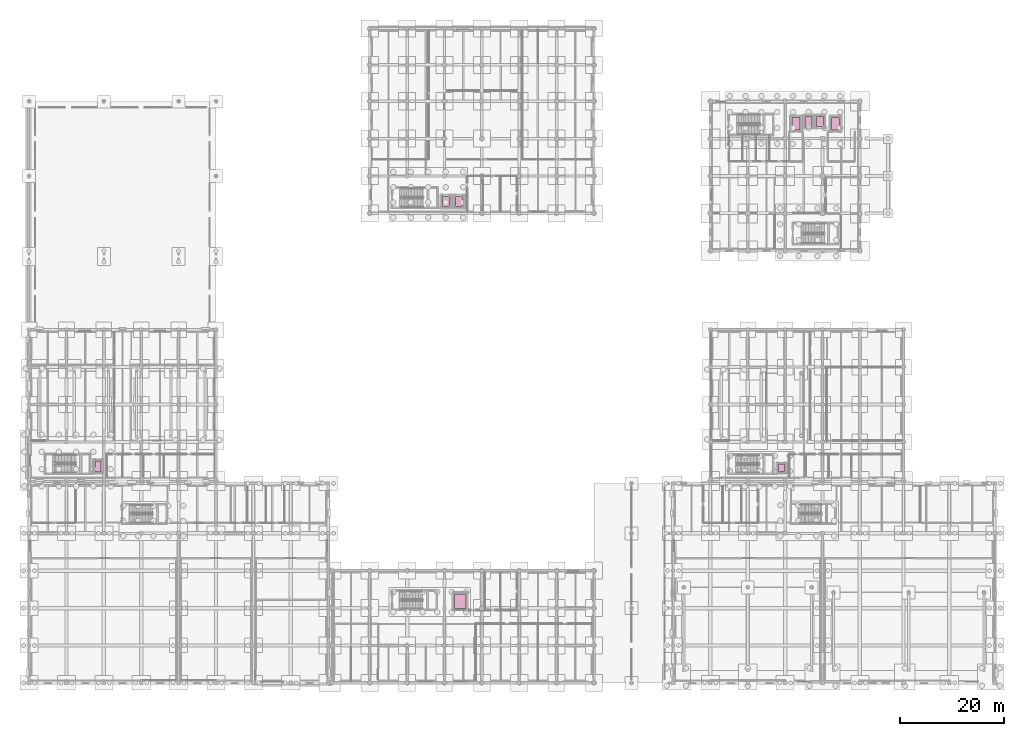
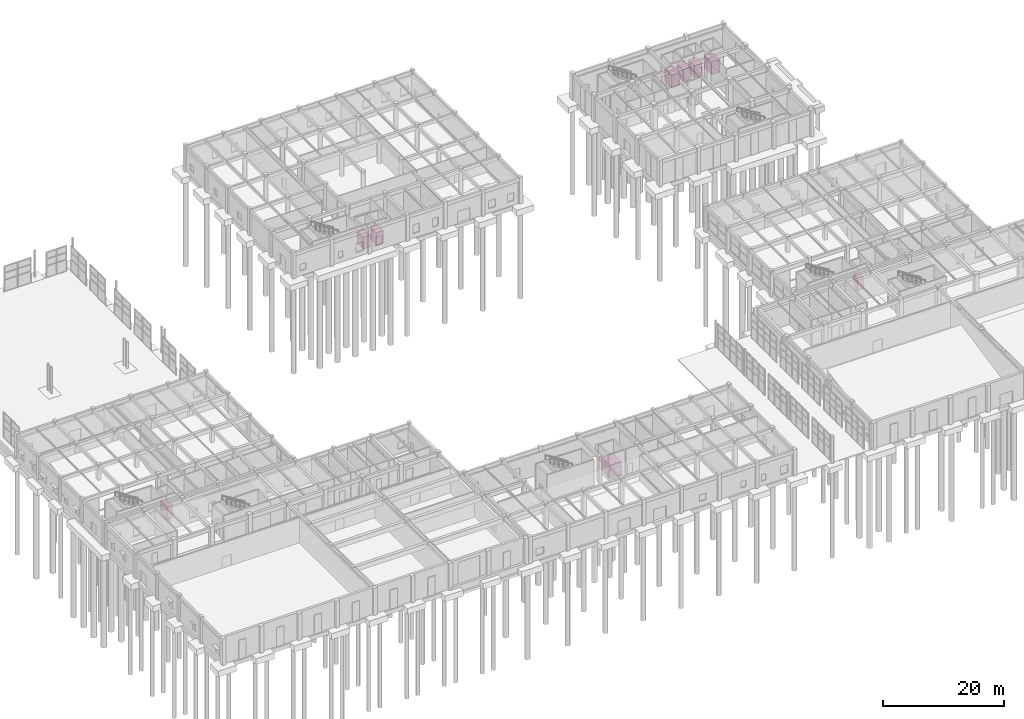
# One storey, part 91 of 91: 9 transport elements.
"""IFC4 building model written with IfcOpenShell, lengths in metres."""

import ifcopenshell
import ifcopenshell.guid

model = None  # the IFC model being written
_history = None  # IfcOwnerHistory: only IFC2X3 demands one
_inside = {}  # id of a spatial element -> (the spatial element, [elements in it])
_under = {}  # id of a project, library or spatial element -> (it, [spatial elements below it])
_declared = {}  # id of a project -> (the project, [libraries it declares])
_typed = {}  # id of a type object -> (the type object, [elements of that type])
_made_of = {}  # id of a material, layer set ... -> (it, [elements and type objects made of it])


def new_model(schema):
    """Start an empty IFC model of exactly this schema.

    Asked for "IFC4X3", IfcOpenShell would pick the latest addendum, in which some entities
    have other attributes; the version numbers below select the first issue.
    IFC2X3 requires an IfcOwnerHistory on every rooted entity: one is made here for all.
    """
    global model, _history
    if schema == "IFC4X3":
        model = ifcopenshell.file(schema_version=(4, 3, 0, 0))
    else:
        model = ifcopenshell.file(schema=schema)
    _inside.clear()
    _under.clear()
    _declared.clear()
    _typed.clear()
    _made_of.clear()
    _history = None
    if model.schema == "IFC2X3":
        org = make("IfcOrganization", Name="unknown")
        user = make(
            "IfcPersonAndOrganization",
            ThePerson=make("IfcPerson", FamilyName="unknown"),
            TheOrganization=org,
        )
        app = make(
            "IfcApplication",
            ApplicationDeveloper=org,
            Version="unknown",
            ApplicationFullName="unknown",
            ApplicationIdentifier="unknown",
        )
        _history = make(
            "IfcOwnerHistory",
            OwningUser=user,
            OwningApplication=app,
            ChangeAction="ADDED",
            CreationDate=0,
        )
    return model


def make(cls, **values):
    """One entity of the class cls with the attributes given. An attribute that is None is left unset."""
    return model.create_entity(
        cls, **{name: value for name, value in values.items() if value is not None}
    )


def rooted(cls, **values):
    """An entity with a GlobalId (a new one), such as an element, a storey or a relation."""
    return make(cls, GlobalId=ifcopenshell.guid.new(), OwnerHistory=_history, **values)


def si_unit(unit_type, name, prefix=None):
    """IfcSIUnit, for example si_unit("LENGTHUNIT", "METRE", prefix="MILLI")."""
    return make("IfcSIUnit", UnitType=unit_type, Prefix=prefix, Name=name)


def assignment(units):
    """IfcUnitAssignment: the units of a project."""
    return None if units is None else make("IfcUnitAssignment", Units=units)


def point(xyz):
    """IfcCartesianPoint."""
    return None if xyz is None else make("IfcCartesianPoint", Coordinates=xyz)


def direction(xyz):
    """IfcDirection."""
    return None if xyz is None else make("IfcDirection", DirectionRatios=xyz)


def frame(location, z_axis=None, x_axis=None):
    """IfcAxis2Placement3D, a coordinate frame: its origin and axes. An axis left out is left unset."""
    return make(
        "IfcAxis2Placement3D",
        Location=point(location),
        Axis=direction(z_axis),
        RefDirection=direction(x_axis),
    )


def frame_2d(location, x_axis=None):
    """IfcAxis2Placement2D, a coordinate frame in the plane: its origin and x axis."""
    return make(
        "IfcAxis2Placement2D", Location=point(location), RefDirection=direction(x_axis)
    )


def origin():
    """The frame at (0, 0, 0) with its axes left unset."""
    return frame((0.0, 0.0, 0.0))


def origin_2d():
    """The frame at (0, 0) in the plane with its x axis left unset."""
    return frame_2d((0.0, 0.0))


def place(relative_to, where):
    """IfcLocalPlacement: puts the frame where relative to a parent placement (None: the world)."""
    return make(
        "IfcLocalPlacement", PlacementRelTo=relative_to, RelativePlacement=where
    )


def context(
    kind, dimensions, precision=None, world=None, true_north=None, identifier=None
):
    """IfcGeometricRepresentationContext, for example the 3D "Model" context."""
    return make(
        "IfcGeometricRepresentationContext",
        ContextIdentifier=identifier,
        ContextType=kind,
        CoordinateSpaceDimension=dimensions,
        Precision=precision,
        WorldCoordinateSystem=world,
        TrueNorth=true_north,
    )


def subcontext(parent, identifier, kind, view, scale=None):
    """IfcGeometricRepresentationSubContext, for example "Body" below "Model"."""
    return make(
        "IfcGeometricRepresentationSubContext",
        ContextIdentifier=identifier,
        ContextType=kind,
        ParentContext=parent,
        TargetScale=scale,
        TargetView=view,
    )


def project(units=None, contexts=None):
    """IfcProject with its units and contexts."""
    return rooted(
        "IfcProject",
        Name="project",
        RepresentationContexts=contexts,
        UnitsInContext=assignment(units),
    )


def spatial(cls, under=None, at=None, **own):
    """A site, building, storey or space (cls), placed at a placement, below another one or the project."""
    s = rooted(cls, ObjectPlacement=at, **own)
    if under is not None:
        _under.setdefault(under.id(), (under, []))[1].append(s)
    return s


def profile(cls, at=None, kind="AREA", **sizes):
    """A parametric profile (cls). Its sizes go by their IFC names, for example OverallWidth=200.0."""
    return make(cls, ProfileType=kind, Position=at, **sizes)


def rectangle(**sizes):
    """IfcRectangleProfileDef."""
    return profile("IfcRectangleProfileDef", **sizes)


def extrude(swept, where, along, depth):
    """IfcExtrudedAreaSolid: the profile swept, set in the frame where, extruded along a direction by depth."""
    return make(
        "IfcExtrudedAreaSolid",
        SweptArea=swept,
        Position=where,
        ExtrudedDirection=direction(along),
        Depth=depth,
    )


def shape(context_of_items, identifier, shape_type, items):
    """IfcShapeRepresentation: the items that make up one representation, for example the "Body"."""
    return make(
        "IfcShapeRepresentation",
        ContextOfItems=context_of_items,
        RepresentationIdentifier=identifier,
        RepresentationType=shape_type,
        Items=items,
    )


def material(Name=None, Category=None):
    """IfcMaterial."""
    return make("IfcMaterial", Name=Name, Category=Category)


def made_of(thing, what):
    """Note that an element or type object is made of a material, layer set ...; save() writes the relation."""
    if what is not None:
        _made_of.setdefault(what.id(), (what, []))[1].append(thing)
    return thing


def type_object(cls, material=None, **own):
    """A type object (cls), such as IfcWallType, which elements share."""
    return made_of(rooted(cls, **own), material)


def element(
    cls,
    number,
    at=None,
    inside=None,
    cuts=None,
    type_object=None,
    material=None,
    context=None,
    identifier="Body",
    shape_type=None,
    held_by="IfcProductDefinitionShape",
    body=None,
    shapes=None,
    **own,
):
    """One element of the class cls, such as IfcWall. Its Tag is "e" and its number.

    at: its placement. inside: the storey or other place that contains it. cuts: it is an
    opening in that element (IfcRelVoidsElement). A single representation is given by context,
    identifier, shape_type and body (its items); several are given by shapes. held_by: the class
    of the entity that holds the representations. save() writes the other relations.
    """
    e = rooted(cls, Tag="e%d" % number, ObjectPlacement=at, **own)
    if body is not None:
        shapes = [shape(context, identifier, shape_type, body)]
    if shapes is not None:
        e.Representation = make(held_by, Representations=shapes)
    if inside is not None:
        _inside.setdefault(inside.id(), (inside, []))[1].append(e)
    if cuts is not None:
        rooted(
            "IfcRelVoidsElement", RelatingBuildingElement=cuts, RelatedOpeningElement=e
        )
    if type_object is not None:
        _typed.setdefault(type_object.id(), (type_object, []))[1].append(e)
    return made_of(e, material)


def aggregate(whole, parts):
    """IfcRelAggregates: a whole, such as a stair, and the parts it consists of."""
    return rooted("IfcRelAggregates", RelatingObject=whole, RelatedObjects=parts)


def save(model, path):
    """Write the relations noted so far, then the file.

    IfcRelAggregates (storeys below a building ...), IfcRelContainedInSpatialStructure (elements
    in a storey), IfcRelDefinesByType, IfcRelAssociatesMaterial and IfcRelDeclares: one each for
    every whole, place, type object, material and project.
    """
    for whole, parts in _under.values():
        aggregate(whole, parts)
    for where, things in _inside.values():
        rooted(
            "IfcRelContainedInSpatialStructure",
            RelatedElements=things,
            RelatingStructure=where,
        )
    for kind, things in _typed.values():
        rooted("IfcRelDefinesByType", RelatedObjects=things, RelatingType=kind)
    for what, things in _made_of.values():
        rooted("IfcRelAssociatesMaterial", RelatedObjects=things, RelatingMaterial=what)
    for by, libraries in _declared.values():
        rooted("IfcRelDeclares", RelatingContext=by, RelatedDefinitions=libraries)
    model.write(path)


model = new_model("IFC4")

# Units and contexts
model_context = context("Model", 3, precision=1e-05, world=origin(), true_north=direction((0.0, 1.0)))
body_context = subcontext(model_context, "Body", "Model", "MODEL_VIEW")
ifc_project = project(units=[si_unit("LENGTHUNIT", "METRE"), si_unit("AREAUNIT", "SQUARE_METRE"), si_unit("VOLUMEUNIT", "CUBIC_METRE"), si_unit("PLANEANGLEUNIT", "RADIAN"), si_unit("MASSUNIT", "GRAM", prefix="KILO")], contexts=[model_context])

# Site, building, storey
site_placement = place(None, origin())
site = spatial("IfcSite", under=ifc_project, at=site_placement, CompositionType="ELEMENT")
building_placement = place(site_placement, origin())
building = spatial("IfcBuilding", under=site, at=building_placement, Name="Bramveld Media Centre", CompositionType="ELEMENT")
storey_placement = place(building_placement, origin())
storey = spatial("IfcBuildingStorey", under=building, at=storey_placement, Name="L00", CompositionType="ELEMENT", Elevation=0.0)

# Transport elements
ifc_material_1 = material(Name="Brushed stainless steel & acoustic oak elevator cab assembly", Category="steel")
transport_element_type_1 = type_object("IfcTransportElementType", Name="LIFT-TYPE-FL-01", PredefinedType="ELEVATOR", material=ifc_material_1)
transport_element_1_placement = place(storey_placement, frame((147.699951171875, 107.699951171875, 0.0), z_axis=(0.0, 0.0, 1.0), x_axis=(1.0, 0.0, 0.0)))
element("IfcTransportElement", 1, at=transport_element_1_placement, inside=storey, type_object=transport_element_type_1, Name="FL-01 Firefighting Elevator (1600 kg)", PredefinedType="ELEVATOR", context=body_context, shape_type="SweptSolid", body=[
    extrude(rectangle(XDim=1.60009765625, YDim=2.39990234375, at=origin_2d()), origin(), (0.0, 0.0, 1.0), 2.550048828125),
])
ifc_material_2 = material(Name="Brushed stainless steel & acoustic oak elevator cab assembly", Category="steel")
transport_element_type_2 = type_object("IfcTransportElementType", Name="LIFT-TYPE-FL-02", PredefinedType="ELEVATOR", material=ifc_material_2)
transport_element_2_placement = place(storey_placement, frame((155.300048828125, 107.699951171875, 0.0), z_axis=(0.0, 0.0, 1.0), x_axis=(1.0, 0.0, 0.0)))
element("IfcTransportElement", 2, at=transport_element_2_placement, inside=storey, type_object=transport_element_type_2, Name="FL-02 Firefighting Elevator (1600 kg)", PredefinedType="ELEVATOR", context=body_context, shape_type="SweptSolid", body=[
    extrude(rectangle(XDim=1.60009765625, YDim=2.39990234375, at=origin_2d()), origin(), (0.0, 0.0, 1.0), 2.550048828125),
])
ifc_material_3 = material(Name="Brushed stainless steel & acoustic oak elevator cab assembly", Category="steel")
transport_element_type_3 = type_object("IfcTransportElementType", Name="LIFT-TYPE-GL-01", PredefinedType="ELEVATOR", material=ifc_material_3)
transport_element_3_placement = place(storey_placement, frame((83.0, 15.699951171875, 0.0), z_axis=(0.0, 0.0, 1.0), x_axis=(1.0, 0.0, 0.0)))
element("IfcTransportElement", 3, at=transport_element_3_placement, inside=storey, type_object=transport_element_type_3, Name="GL-01 Passenger/Goods Elevator (4000 kg)", PredefinedType="ELEVATOR", context=body_context, shape_type="SweptSolid", body=[
    extrude(rectangle(XDim=2.199951171875, YDim=2.800048828125, at=origin_2d()), origin(), (0.0, 0.0, 1.0), 2.64990234375),
])
ifc_material_4 = material(Name="Brushed stainless steel & acoustic oak elevator cab assembly", Category="steel")
transport_element_type_4 = type_object("IfcTransportElementType", Name="LIFT-TYPE-PL-01", PredefinedType="ELEVATOR", material=ifc_material_4)
transport_element_4_placement = place(storey_placement, frame((150.10009765625, 108.10009765625, 0.0), z_axis=(0.0, 0.0, 1.0), x_axis=(1.0, 0.0, 0.0)))
element("IfcTransportElement", 4, at=transport_element_4_placement, inside=storey, type_object=transport_element_type_4, Name="PL-01 Passenger/Goods Elevator (1275 kg)", PredefinedType="ELEVATOR", context=body_context, shape_type="SweptSolid", body=[
    extrude(rectangle(XDim=1.39990234375, YDim=2.0, at=origin_2d()), origin(), (0.0, 0.0, 1.0), 2.5),
])
ifc_material_5 = material(Name="Brushed stainless steel & acoustic oak elevator cab assembly", Category="steel")
transport_element_type_5 = type_object("IfcTransportElementType", Name="LIFT-TYPE-PL-02", PredefinedType="ELEVATOR", material=ifc_material_5)
transport_element_5_placement = place(storey_placement, frame((152.300048828125, 108.10009765625, 0.0), z_axis=(0.0, 0.0, 1.0), x_axis=(1.0, 0.0, 0.0)))
element("IfcTransportElement", 5, at=transport_element_5_placement, inside=storey, type_object=transport_element_type_5, Name="PL-02 Passenger/Goods Elevator (1275 kg)", PredefinedType="ELEVATOR", context=body_context, shape_type="SweptSolid", body=[
    extrude(rectangle(XDim=1.39990234375, YDim=2.0, at=origin_2d()), origin(), (0.0, 0.0, 1.0), 2.5),
])
ifc_material_6 = material(Name="Brushed stainless steel & acoustic oak elevator cab assembly", Category="steel")
transport_element_type_6 = type_object("IfcTransportElementType", Name="LIFT-TYPE-PL-03", PredefinedType="ELEVATOR", material=ifc_material_6)
transport_element_6_placement = place(storey_placement, frame((82.800048828125, 92.699951171875, 0.0), z_axis=(0.0, 0.0, 1.0), x_axis=(1.0, 0.0, 0.0)))
element("IfcTransportElement", 6, at=transport_element_6_placement, inside=storey, type_object=transport_element_type_6, Name="PL-03 Passenger/Goods Elevator (1275 kg)", PredefinedType="ELEVATOR", context=body_context, shape_type="SweptSolid", body=[
    extrude(rectangle(XDim=1.39990234375, YDim=2.0, at=origin_2d()), origin(), (0.0, 0.0, 1.0), 2.5),
])
ifc_material_7 = material(Name="Brushed stainless steel & acoustic oak elevator cab assembly", Category="steel")
transport_element_type_7 = type_object("IfcTransportElementType", Name="LIFT-TYPE-PL-04", PredefinedType="ELEVATOR", material=ifc_material_7)
transport_element_7_placement = place(storey_placement, frame((80.300048828125, 92.699951171875, 0.0), z_axis=(0.0, 0.0, 1.0), x_axis=(1.0, 0.0, 0.0)))
element("IfcTransportElement", 7, at=transport_element_7_placement, inside=storey, type_object=transport_element_type_7, Name="PL-04 Passenger/Goods Elevator (1275 kg)", PredefinedType="ELEVATOR", context=body_context, shape_type="SweptSolid", body=[
    extrude(rectangle(XDim=1.39990234375, YDim=2.0, at=origin_2d()), origin(), (0.0, 0.0, 1.0), 2.5),
])
ifc_material_8 = material(Name="Brushed stainless steel & acoustic oak elevator cab assembly", Category="steel")
transport_element_type_8 = type_object("IfcTransportElementType", Name="LIFT-TYPE-PL-05", PredefinedType="ELEVATOR", material=ifc_material_8)
transport_element_8_placement = place(storey_placement, frame((13.300048828125, 41.699951171875, 0.0), z_axis=(0.0, 0.0, 1.0), x_axis=(1.0, 0.0, 0.0)))
element("IfcTransportElement", 8, at=transport_element_8_placement, inside=storey, type_object=transport_element_type_8, Name="PL-05 Passenger/Goods Elevator (1000 kg)", PredefinedType="ELEVATOR", context=body_context, shape_type="SweptSolid", body=[
    extrude(rectangle(XDim=1.10009765625, YDim=2.10009765625, at=origin_2d()), origin(), (0.0, 0.0, 1.0), 2.5),
])
ifc_material_9 = material(Name="Brushed stainless steel & acoustic oak elevator cab assembly", Category="steel")
transport_element_type_9 = type_object("IfcTransportElementType", Name="LIFT-TYPE-PL-06", PredefinedType="ELEVATOR", material=ifc_material_9)
transport_element_9_placement = place(storey_placement, frame((144.89990234375, 41.39990234375, 0.0), z_axis=(0.0, 0.0, 1.0), x_axis=(1.0, 0.0, 0.0)))
element("IfcTransportElement", 9, at=transport_element_9_placement, inside=storey, type_object=transport_element_type_9, Name="PL-06 Passenger/Goods Elevator (630 kg)", PredefinedType="ELEVATOR", context=body_context, shape_type="SweptSolid", body=[
    extrude(rectangle(XDim=1.10009765625, YDim=1.39990234375, at=origin_2d()), origin(), (0.0, 0.0, 1.0), 2.449951171875),
])

save(model, "model.ifc")
